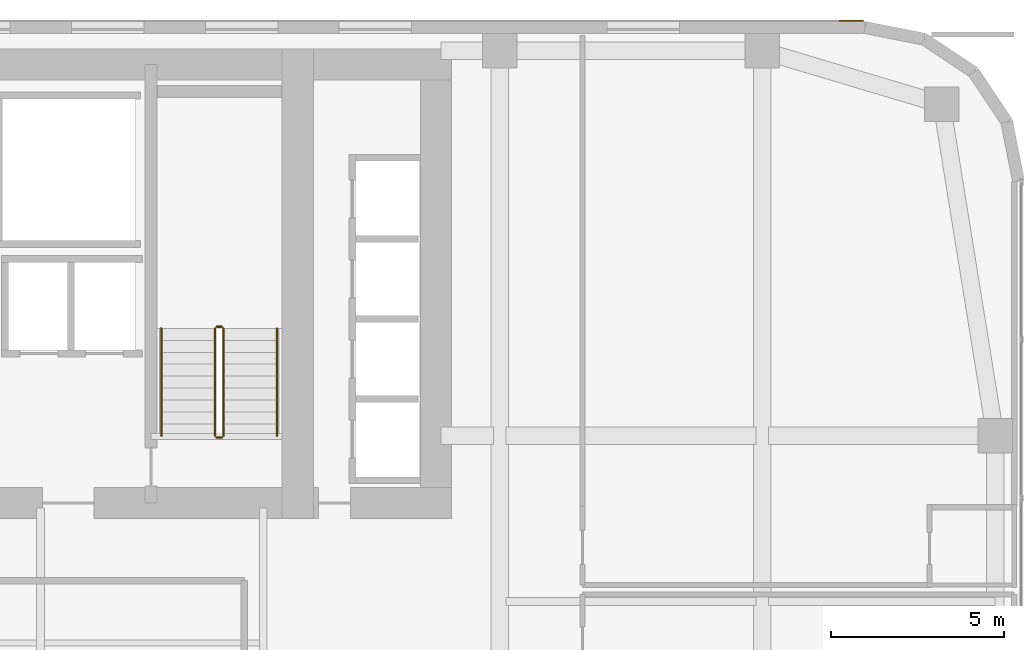
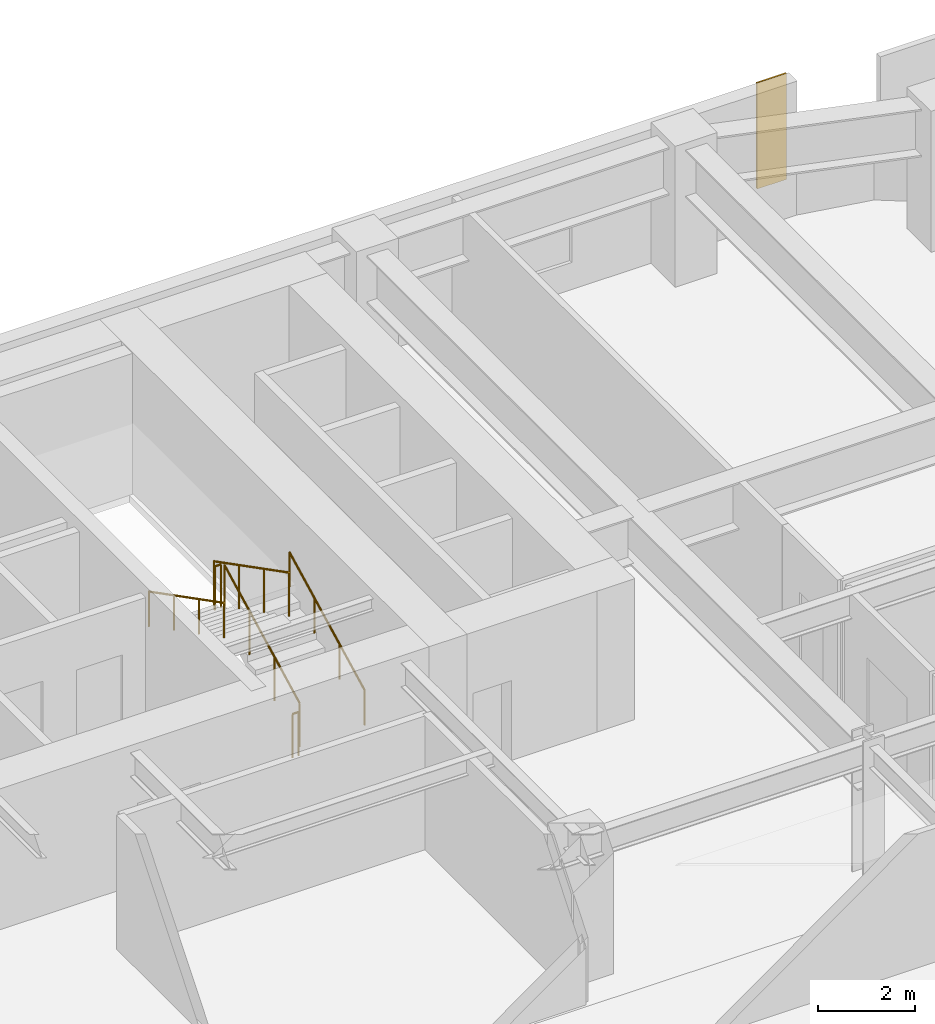
# One storey, part 31 of 31: 6 railings, 1 covering.
"""IFC4 building model written with IfcOpenShell, lengths in metres."""

from ifc_helpers import new_model, si_unit, direction, frame, origin, origin_2d, place, context, subcontext, project, spatial, polyline, circle, outline, extrude, material, layer, layer_set, type_object, element, save


model = new_model("IFC4")

# Units and contexts
model_context = context("Model", 3, precision=1e-05, world=origin(), true_north=direction((0.0, 1.0)))
body_context = subcontext(model_context, "Body", "Model", "MODEL_VIEW")
ifc_project = project(units=[si_unit("LENGTHUNIT", "METRE"), si_unit("AREAUNIT", "SQUARE_METRE"), si_unit("VOLUMEUNIT", "CUBIC_METRE"), si_unit("PLANEANGLEUNIT", "RADIAN"), si_unit("MASSUNIT", "GRAM", prefix="KILO")], contexts=[model_context])

# Site, building, storey
site_placement = place(None, origin())
site = spatial("IfcSite", under=ifc_project, at=site_placement, CompositionType="ELEMENT")
building_placement = place(site_placement, origin())
building = spatial("IfcBuilding", under=site, at=building_placement, Name="Tolvann Quenvar Hotel", CompositionType="ELEMENT")
storey_placement = place(building_placement, frame((0.0, 0.0, 74.60009765625)))
storey = spatial("IfcBuildingStorey", under=building, at=storey_placement, Name="L18", CompositionType="ELEMENT", Elevation=74.60009765625)

# Covering
ifc_material_1 = material(Name="Kiln-fired red architectural face brick cladding", Category="masonry")
ifc_layer = layer(ifc_material_1, 0.0400390625)
ifc_layer_set = layer_set([ifc_layer], Name="Kiln-fired red architectural face brick cladding")
covering_type = type_object("IfcCoveringType", Name="COV_CLAD_BRICK_40", PredefinedType="CLADDING", material=ifc_layer_set)
covering_placement = place(storey_placement, frame((0.0, 0.0, 0.699951171875)))
element("IfcCovering", 1, at=covering_placement, inside=storey, type_object=covering_type, Name="Brick Pier Cladding (L18-E18-P1)", PredefinedType="CLADDING", context=body_context, shape_type="SweptSolid", body=[
    extrude(outline(polyline([(52.332763671875, 46.0), (51.6328125, 46.0), (51.6328125, 46.0400390625), (52.332763671875, 46.0400390625), (52.332763671875, 46.0)])), origin(), (0.0, 0.0, 1.0), 2.669921875),
])

# Railings
ifc_material_2 = material(Name="Brushed 316 stainless steel balustrade and handrail", Category="steel")
railing_type_1 = type_object("IfcRailingType", Name="GUARDRAIL", PredefinedType="GUARDRAIL", material=ifc_material_2)
railing_1_placement = place(storey_placement, frame((33.800048828125, 34.0, 0.177490234375)))
element("IfcRailing", 2, at=railing_1_placement, inside=storey, type_object=railing_type_1, Name="L18 ST-C2 stair guard 1", PredefinedType="GUARDRAIL", context=body_context, shape_type="SweptSolid", body=[
    extrude(circle(Radius=0.02392578125, at=origin_2d()), frame((0.0, 0.0, 1.09619140625), z_axis=(0.0, 0.889221982265, 0.45747597342), x_axis=(-1.0, 0.0, 0.0)), (0.0, 0.0, 1.0), 3.49169921875),
    extrude(circle(Radius=0.02099609375, at=origin_2d()), origin(), (0.0, 0.0, 1.0), 1.072021484375),
    extrude(circle(Radius=0.02099609375, at=origin_2d()), frame((0.0, 1.034912109375, 0.532470703125)), (0.0, 0.0, 1.0), 1.072021484375),
    extrude(circle(Radius=0.02099609375, at=origin_2d()), frame((0.0, 2.070068359375, 1.06494140625)), (0.0, 0.0, 1.0), 1.072021484375),
    extrude(circle(Radius=0.02099609375, at=origin_2d()), frame((0.0, 3.10498046875, 1.597412109375)), (0.0, 0.0, 1.0), 1.072021484375),
])
railing_2_placement = place(storey_placement, frame((33.75, 37.155029296875, 1.77490234375)))
element("IfcRailing", 3, at=railing_2_placement, inside=storey, type_object=railing_type_1, Name="L18 ST-C2 stair guard 2", PredefinedType="GUARDRAIL", context=body_context, shape_type="SweptSolid", body=[
    extrude(circle(Radius=0.02392578125, at=origin_2d()), frame((0.0, 0.0, 1.09619140625), z_axis=(-1.0, 0.0, 0.0), x_axis=(0.0, -1.0, 0.0)), (0.0, 0.0, 1.0), 0.14990234375),
    extrude(circle(Radius=0.02099609375, at=origin_2d()), origin(), (0.0, 0.0, 1.0), 1.072021484375),
    extrude(circle(Radius=0.02099609375, at=origin_2d()), frame((-0.14990234375, 0.0, 0.0)), (0.0, 0.0, 1.0), 1.072021484375),
])
railing_3_placement = place(storey_placement, frame((33.550048828125, 37.10498046875, 1.952392578125)))
element("IfcRailing", 4, at=railing_3_placement, inside=storey, type_object=railing_type_1, Name="L18 ST-C2 stair guard 3", PredefinedType="GUARDRAIL", context=body_context, shape_type="SweptSolid", body=[
    extrude(circle(Radius=0.02392578125, at=origin_2d()), frame((0.0, 0.0, 1.09619140625), z_axis=(0.0, -0.889221982265, 0.45747597342), x_axis=(1.0, 0.0, 0.0)), (0.0, 0.0, 1.0), 3.49169921875),
    extrude(circle(Radius=0.02099609375, at=origin_2d()), origin(), (0.0, 0.0, 1.0), 1.072021484375),
    extrude(circle(Radius=0.02099609375, at=origin_2d()), frame((0.0, -1.034912109375, 0.532470703125)), (0.0, 0.0, 1.0), 1.072021484375),
    extrude(circle(Radius=0.02099609375, at=origin_2d()), frame((0.0, -2.070068359375, 1.06494140625)), (0.0, 0.0, 1.0), 1.072021484375),
    extrude(circle(Radius=0.02099609375, at=origin_2d()), frame((0.0, -3.10498046875, 1.597412109375)), (0.0, 0.0, 1.0), 1.072021484375),
])
railing_4_placement = place(storey_placement, frame((33.75, 33.949951171875, 0.0)))
element("IfcRailing", 5, at=railing_4_placement, inside=storey, type_object=railing_type_1, Name="L18 ST-C2 stair guard 4", PredefinedType="GUARDRAIL", context=body_context, shape_type="SweptSolid", body=[
    extrude(circle(Radius=0.02392578125, at=origin_2d()), frame((0.0, 0.0, 1.09619140625), z_axis=(-1.0, 0.0, 0.0), x_axis=(0.0, -1.0, 0.0)), (0.0, 0.0, 1.0), 0.14990234375),
    extrude(circle(Radius=0.02099609375, at=origin_2d()), origin(), (0.0, 0.0, 1.0), 1.072021484375),
    extrude(circle(Radius=0.02099609375, at=origin_2d()), frame((-0.14990234375, 0.0, 0.0)), (0.0, 0.0, 1.0), 1.072021484375),
])
railing_type_2 = type_object("IfcRailingType", Name="HANDRAIL", PredefinedType="HANDRAIL", material=ifc_material_2)
railing_5_placement = place(storey_placement, frame((35.35009765625, 34.0, 0.177490234375)))
element("IfcRailing", 6, at=railing_5_placement, inside=storey, type_object=railing_type_2, Name="L18 ST-C2 stair handrail 1", PredefinedType="HANDRAIL", context=body_context, shape_type="SweptSolid", body=[
    extrude(circle(Radius=0.02392578125, at=origin_2d()), frame((0.0, 0.0, 0.8759765625), z_axis=(0.0, 0.889221982265, 0.45747597342), x_axis=(-1.0, 0.0, 0.0)), (0.0, 0.0, 1.0), 3.49169921875),
    extrude(circle(Radius=0.02099609375, at=origin_2d()), origin(), (0.0, 0.0, 1.0), 0.851806640625),
    extrude(circle(Radius=0.02099609375, at=origin_2d()), frame((0.0, 1.034912109375, 0.532470703125)), (0.0, 0.0, 1.0), 0.851806640625),
    extrude(circle(Radius=0.02099609375, at=origin_2d()), frame((0.0, 2.070068359375, 1.06494140625)), (0.0, 0.0, 1.0), 0.851806640625),
    extrude(circle(Radius=0.02099609375, at=origin_2d()), frame((0.0, 3.10498046875, 1.597412109375)), (0.0, 0.0, 1.0), 0.851806640625),
])
railing_6_placement = place(storey_placement, frame((32.0, 37.10498046875, 1.952392578125)))
element("IfcRailing", 7, at=railing_6_placement, inside=storey, type_object=railing_type_2, Name="L18 ST-C2 stair handrail 2", PredefinedType="HANDRAIL", context=body_context, shape_type="SweptSolid", body=[
    extrude(circle(Radius=0.02392578125, at=origin_2d()), frame((0.0, 0.0, 0.8759765625), z_axis=(0.0, -0.889221982265, 0.45747597342), x_axis=(1.0, 0.0, 0.0)), (0.0, 0.0, 1.0), 3.49169921875),
    extrude(circle(Radius=0.02099609375, at=origin_2d()), origin(), (0.0, 0.0, 1.0), 0.851806640625),
    extrude(circle(Radius=0.02099609375, at=origin_2d()), frame((0.0, -1.034912109375, 0.532470703125)), (0.0, 0.0, 1.0), 0.851806640625),
    extrude(circle(Radius=0.02099609375, at=origin_2d()), frame((0.0, -2.070068359375, 1.06494140625)), (0.0, 0.0, 1.0), 0.851806640625),
    extrude(circle(Radius=0.02099609375, at=origin_2d()), frame((0.0, -3.10498046875, 1.597412109375)), (0.0, 0.0, 1.0), 0.851806640625),
])

save(model, "model.ifc")
